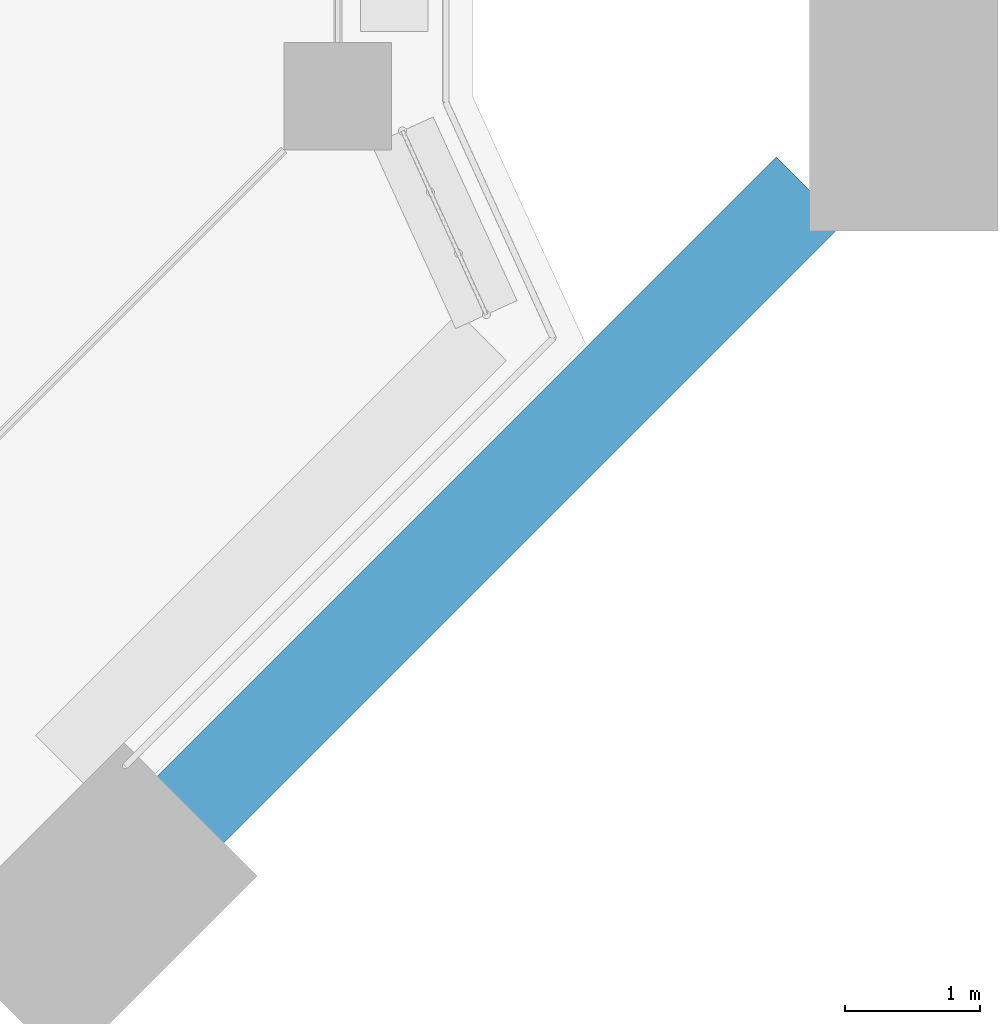
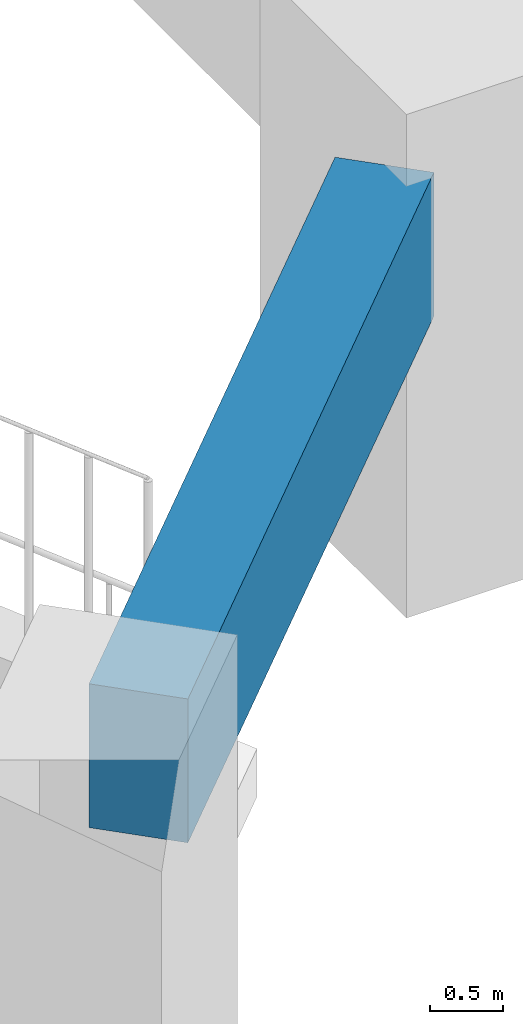
# One storey, part 5 of 23: 1 beam.
"""IFC4 building model written with IfcOpenShell, lengths in metres."""

from ifc_helpers import new_model, si_unit, direction, frame, origin, origin_2d, place, context, subcontext, project, spatial, rectangle, extrude, material, material_profile, profile_set, type_object, element, save


model = new_model("IFC4")

# Units and contexts
model_context = context("Model", 3, precision=1e-05, world=origin(), true_north=direction((0.0, 1.0)))
body_context = subcontext(model_context, "Body", "Model", "MODEL_VIEW")
ifc_project = project(units=[si_unit("LENGTHUNIT", "METRE"), si_unit("AREAUNIT", "SQUARE_METRE"), si_unit("VOLUMEUNIT", "CUBIC_METRE"), si_unit("PLANEANGLEUNIT", "RADIAN"), si_unit("MASSUNIT", "GRAM", prefix="KILO")], contexts=[model_context])

# Site, building, storey
site_placement = place(None, origin())
site = spatial("IfcSite", under=ifc_project, at=site_placement, CompositionType="ELEMENT")
building_placement = place(site_placement, origin())
building = spatial("IfcBuilding", under=site, at=building_placement, Name="Kawkab Arch Medical Tower", CompositionType="ELEMENT")
storey_placement = place(building_placement, frame((0.0, 0.0, 281.800048828125)))
storey = spatial("IfcBuildingStorey", under=building, at=storey_placement, Name="L65", CompositionType="ELEMENT", Elevation=281.800048828125)

# Beam
ifc_material = material(Name="Concrete C40/50", Category="concrete")
ifc_material_profile = material_profile(ifc_material, rectangle(XDim=0.699951171875, YDim=1.199951171875, at=origin_2d()), Name="RC 700x1200")
ifc_profile_set = profile_set([ifc_material_profile], Name="Concrete C40/50")
beam_type = type_object("IfcBeamType", Name="RC 700x1200 beam C40/50", PredefinedType="BEAM", material=ifc_profile_set)
beam_placement = place(storey_placement, frame((62.300048828125, -19.89990234375, 3.0), z_axis=(-0.707106781187, -0.707106781187, 0.0), x_axis=(0.707106781187, -0.707106781187, 0.0)))
element("IfcBeam", 1, at=beam_placement, inside=storey, type_object=beam_type, Name="Terrace frame beam TF-L64-2-L66-04", PredefinedType="BEAM", context=body_context, shape_type="SweptSolid", body=[
    extrude(rectangle(XDim=0.699951171875, YDim=1.199951171875, at=origin_2d()), origin(), (0.0, 0.0, 1.0), 6.49560546875),
])

save(model, "model.ifc")
